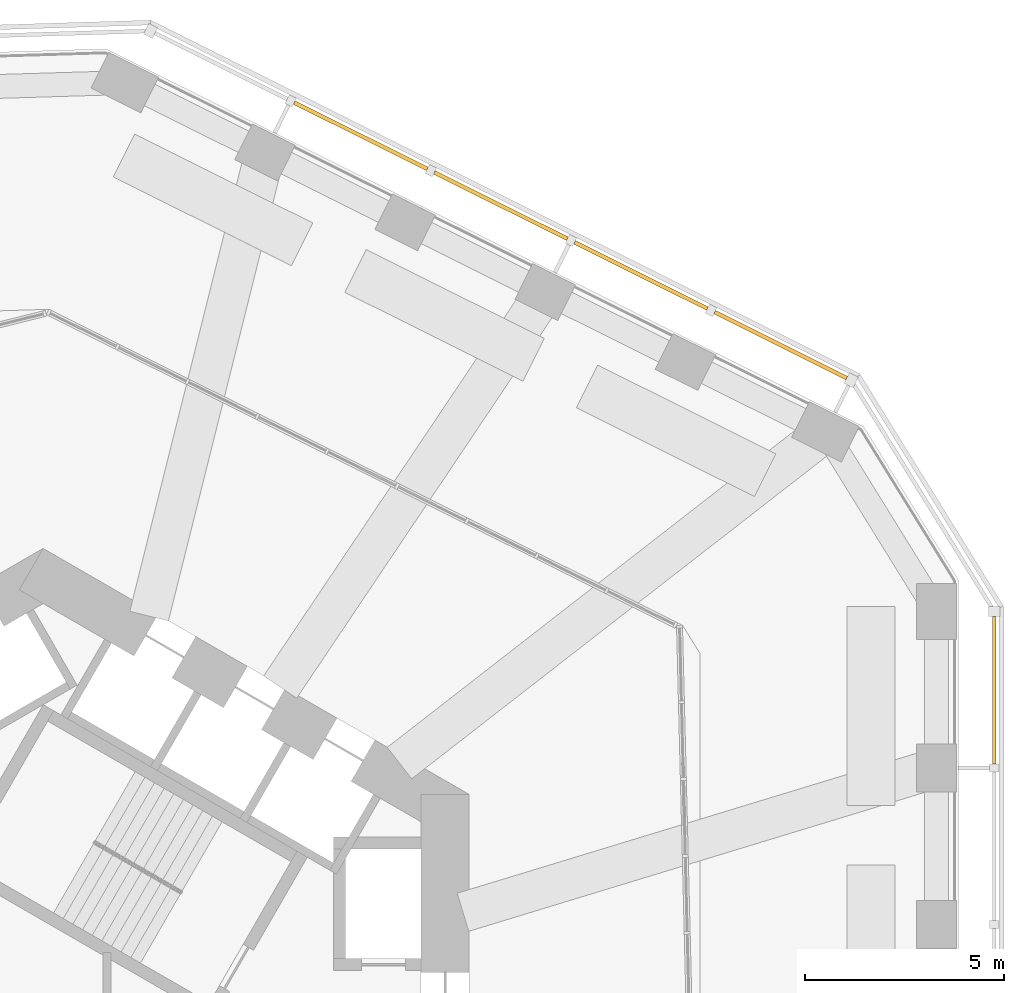
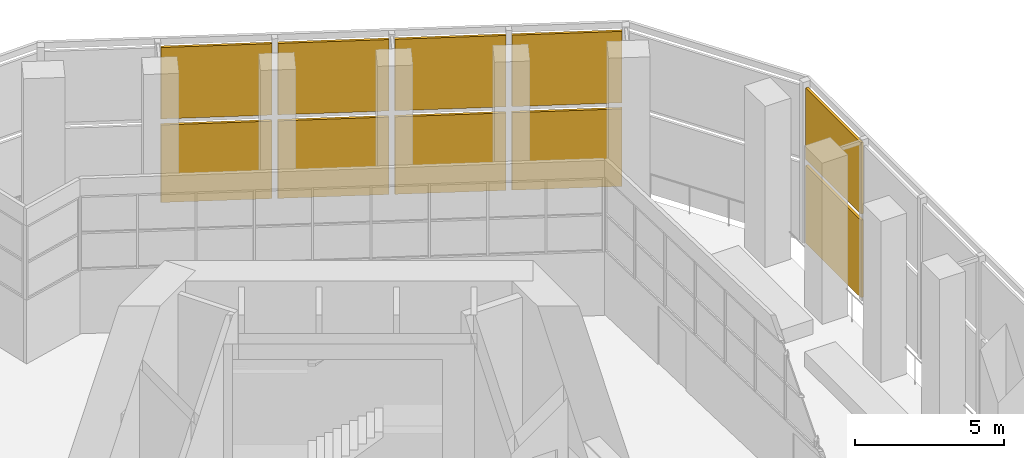
# One storey, part 16 of 17: 10 shading devices.
"""IFC4 building model written with IfcOpenShell, lengths in metres."""

from ifc_helpers import new_model, si_unit, direction, frame, origin, origin_2d, place, context, subcontext, project, spatial, rectangle, extrude, material, layer, layer_set, type_object, element, save


model = new_model("IFC4")

# Units and contexts
model_context = context("Model", 3, precision=1e-05, world=origin(), true_north=direction((0.0, 1.0)))
body_context = subcontext(model_context, "Body", "Model", "MODEL_VIEW")
ifc_project = project(units=[si_unit("LENGTHUNIT", "METRE"), si_unit("AREAUNIT", "SQUARE_METRE"), si_unit("VOLUMEUNIT", "CUBIC_METRE"), si_unit("PLANEANGLEUNIT", "RADIAN"), si_unit("MASSUNIT", "GRAM", prefix="KILO")], contexts=[model_context])

# Site, building, storey
site_placement = place(None, origin())
site = spatial("IfcSite", under=ifc_project, at=site_placement, CompositionType="ELEMENT")
building_placement = place(site_placement, origin())
building = spatial("IfcBuilding", under=site, at=building_placement, Name="Vanh Sen Convention Tower", CompositionType="ELEMENT")
storey_placement = place(building_placement, frame((0.0, 0.0, 77.0)))
storey = spatial("IfcBuildingStorey", under=building, at=storey_placement, Name="L17", CompositionType="ELEMENT", Elevation=77.0)

# Shading devices
ifc_material = material(Name="Concrete C50/60", Category="concrete")
ifc_layer = layer(ifc_material, 0.10009765625)
ifc_layer_set = layer_set([ifc_layer], Name="Concrete C50/60")
shading_device_type = type_object("IfcShadingDeviceType", Name="Sun-screen louvre 100", PredefinedType="USERDEFINED", material=ifc_layer_set)
shading_device_1_placement = place(storey_placement, frame((23.89990234375, 8.7939453125, 0.0), z_axis=(0.0, 0.0, 1.0), x_axis=(0.0, 1.0, 0.0)))
element("IfcShadingDevice", 1, at=shading_device_1_placement, inside=storey, type_object=shading_device_type, Name="OUTER SKIN sun-screen louvre E-5", ObjectType="LOUVRE", PredefinedType="USERDEFINED", context=body_context, shape_type="SweptSolid", body=[
    extrude(rectangle(XDim=3.709716796875, YDim=0.10009765625, at=origin_2d()), origin(), (0.0, 0.0, 1.0), 3.175048828125),
])
shading_device_2_placement = place(storey_placement, frame((23.89990234375, 8.7939453125, 3.4248046875), z_axis=(0.0, 0.0, 1.0), x_axis=(0.0, 1.0, 0.0)))
element("IfcShadingDevice", 2, at=shading_device_2_placement, inside=storey, type_object=shading_device_type, Name="OUTER SKIN sun-screen louvre E-5", ObjectType="LOUVRE", PredefinedType="USERDEFINED", context=body_context, shape_type="SweptSolid", body=[
    extrude(rectangle(XDim=3.709716796875, YDim=0.10009765625, at=origin_2d()), origin(), (0.0, 0.0, 1.0), 2.925048828125),
])
shading_device_3_placement = place(storey_placement, frame((18.5341796875, 17.465087890625, 0.0), z_axis=(0.0, 0.0, 1.0), x_axis=(-0.894935140363, 0.446196251154, 0.0)))
element("IfcShadingDevice", 3, at=shading_device_3_placement, inside=storey, type_object=shading_device_type, Name="OUTER SKIN sun-screen louvre NE-1", ObjectType="LOUVRE", PredefinedType="USERDEFINED", context=body_context, shape_type="SweptSolid", body=[
    extrude(rectangle(XDim=3.709716796875, YDim=0.10009765625, at=origin_2d()), origin(), (0.0, 0.0, 1.0), 3.175048828125),
])
shading_device_4_placement = place(storey_placement, frame((18.5341796875, 17.465087890625, 3.4248046875), z_axis=(0.0, 0.0, 1.0), x_axis=(-0.894935140363, 0.446196251154, 0.0)))
element("IfcShadingDevice", 4, at=shading_device_4_placement, inside=storey, type_object=shading_device_type, Name="OUTER SKIN sun-screen louvre NE-1", ObjectType="LOUVRE", PredefinedType="USERDEFINED", context=body_context, shape_type="SweptSolid", body=[
    extrude(rectangle(XDim=3.709716796875, YDim=0.10009765625, at=origin_2d()), origin(), (0.0, 0.0, 1.0), 2.925048828125),
])
shading_device_5_placement = place(storey_placement, frame((15.024169921875, 19.215087890625, 0.0), z_axis=(0.0, 0.0, 1.0), x_axis=(-0.894935140363, 0.446196251154, 0.0)))
element("IfcShadingDevice", 5, at=shading_device_5_placement, inside=storey, type_object=shading_device_type, Name="OUTER SKIN sun-screen louvre NE-2", ObjectType="LOUVRE", PredefinedType="USERDEFINED", context=body_context, shape_type="SweptSolid", body=[
    extrude(rectangle(XDim=3.734619140625, YDim=0.10009765625, at=origin_2d()), origin(), (0.0, 0.0, 1.0), 3.175048828125),
])
shading_device_6_placement = place(storey_placement, frame((15.024169921875, 19.215087890625, 3.4248046875), z_axis=(0.0, 0.0, 1.0), x_axis=(-0.894935140363, 0.446196251154, 0.0)))
element("IfcShadingDevice", 6, at=shading_device_6_placement, inside=storey, type_object=shading_device_type, Name="OUTER SKIN sun-screen louvre NE-2", ObjectType="LOUVRE", PredefinedType="USERDEFINED", context=body_context, shape_type="SweptSolid", body=[
    extrude(rectangle(XDim=3.734619140625, YDim=0.10009765625, at=origin_2d()), origin(), (0.0, 0.0, 1.0), 2.925048828125),
])
shading_device_7_placement = place(storey_placement, frame((11.5029296875, 20.970703125, 0.0), z_axis=(0.0, 0.0, 1.0), x_axis=(-0.894935140363, 0.446196251154, 0.0)))
element("IfcShadingDevice", 7, at=shading_device_7_placement, inside=storey, type_object=shading_device_type, Name="OUTER SKIN sun-screen louvre NE-3", ObjectType="LOUVRE", PredefinedType="USERDEFINED", context=body_context, shape_type="SweptSolid", body=[
    extrude(rectangle(XDim=3.734619140625, YDim=0.10009765625, at=origin_2d()), origin(), (0.0, 0.0, 1.0), 3.175048828125),
])
shading_device_8_placement = place(storey_placement, frame((11.5029296875, 20.970703125, 3.4248046875), z_axis=(0.0, 0.0, 1.0), x_axis=(-0.894935140363, 0.446196251154, 0.0)))
element("IfcShadingDevice", 8, at=shading_device_8_placement, inside=storey, type_object=shading_device_type, Name="OUTER SKIN sun-screen louvre NE-3", ObjectType="LOUVRE", PredefinedType="USERDEFINED", context=body_context, shape_type="SweptSolid", body=[
    extrude(rectangle(XDim=3.734619140625, YDim=0.10009765625, at=origin_2d()), origin(), (0.0, 0.0, 1.0), 2.925048828125),
])
shading_device_9_placement = place(storey_placement, frame((7.981689453125, 22.726318359375, 0.0), z_axis=(0.0, 0.0, 1.0), x_axis=(-0.894935140363, 0.446196251154, 0.0)))
element("IfcShadingDevice", 9, at=shading_device_9_placement, inside=storey, type_object=shading_device_type, Name="OUTER SKIN sun-screen louvre NE-4", ObjectType="LOUVRE", PredefinedType="USERDEFINED", context=body_context, shape_type="SweptSolid", body=[
    extrude(rectangle(XDim=3.734619140625, YDim=0.10009765625, at=origin_2d()), origin(), (0.0, 0.0, 1.0), 3.175048828125),
])
shading_device_10_placement = place(storey_placement, frame((7.981689453125, 22.726318359375, 3.4248046875), z_axis=(0.0, 0.0, 1.0), x_axis=(-0.894935140363, 0.446196251154, 0.0)))
element("IfcShadingDevice", 10, at=shading_device_10_placement, inside=storey, type_object=shading_device_type, Name="OUTER SKIN sun-screen louvre NE-4", ObjectType="LOUVRE", PredefinedType="USERDEFINED", context=body_context, shape_type="SweptSolid", body=[
    extrude(rectangle(XDim=3.734619140625, YDim=0.10009765625, at=origin_2d()), origin(), (0.0, 0.0, 1.0), 2.925048828125),
])

save(model, "model.ifc")
